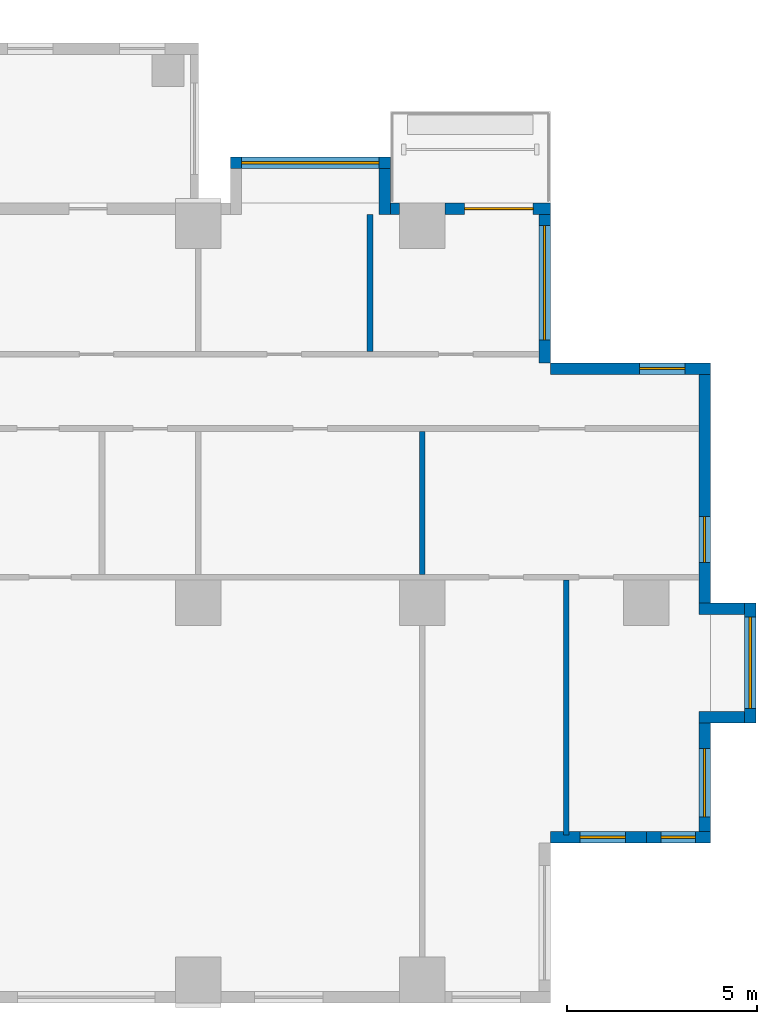
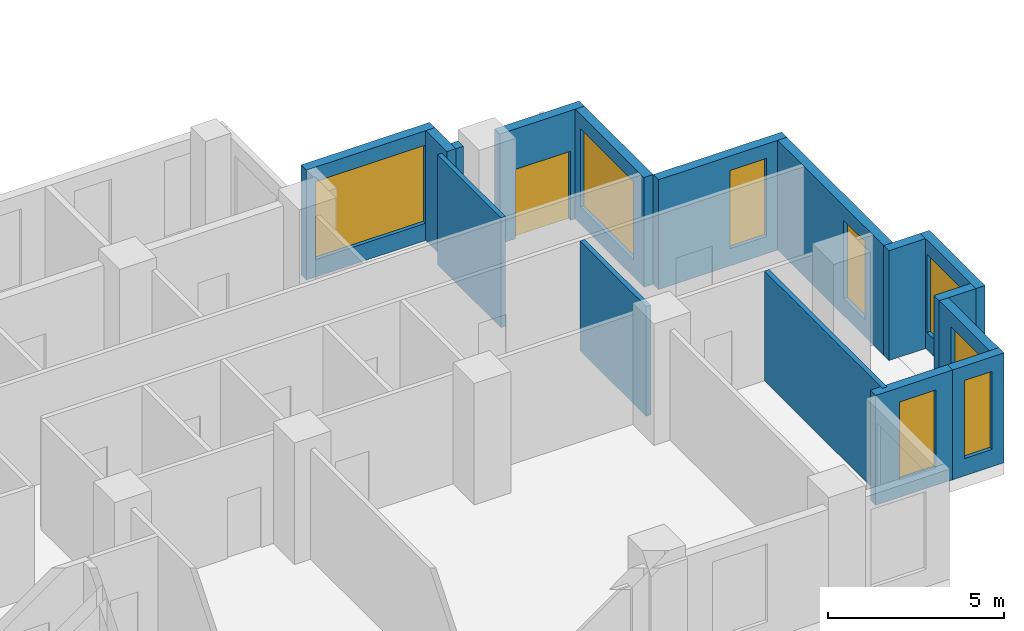
# One storey, part 9 of 15: 16 walls, 8 windows, 1 door, 9 openings.
"""IFC4 building model written with IfcOpenShell, lengths in metres."""

from ifc_helpers import new_model, si_unit, direction, frame, frame_2d, origin, place, context, subcontext, project, spatial, rectangle, extrude, source, transform, mapped, material, layer, layer_set, type_object, element, fill, save


model = new_model("IFC4")

# Units and contexts
model_context = context("Model", 3, precision=1e-05, world=origin(), true_north=direction((0.0, 1.0)))
body_context = subcontext(model_context, "Body", "Model", "MODEL_VIEW")
ifc_project = project(units=[si_unit("LENGTHUNIT", "METRE"), si_unit("AREAUNIT", "SQUARE_METRE"), si_unit("VOLUMEUNIT", "CUBIC_METRE"), si_unit("PLANEANGLEUNIT", "RADIAN"), si_unit("MASSUNIT", "GRAM", prefix="KILO")], contexts=[model_context])

# Site, building, storey
site_placement = place(None, origin())
site = spatial("IfcSite", under=ifc_project, at=site_placement, CompositionType="ELEMENT")
building_placement = place(site_placement, origin())
building = spatial("IfcBuilding", under=site, at=building_placement, Name="Aurelian Terraces", CompositionType="ELEMENT")
storey_placement = place(building_placement, frame((0.0, 0.0, 65.7)))
storey = spatial("IfcBuildingStorey", under=building, at=storey_placement, Name="L13", CompositionType="ELEMENT", Elevation=65.7)

# Wall, opening, window
ifc_material_1 = material(Name="Terracotta rainscreen cladding", Category="masonry")
ifc_layer_1 = layer(ifc_material_1, 0.3)
ifc_layer_set_1 = layer_set([ifc_layer_1], Name="EW-300")
wall_type_1 = type_object("IfcWallType", Name="EW-300", PredefinedType="STANDARD", material=ifc_layer_set_1)
shared_shape_1 = source(origin(), body_context, "Body", "SweptSolid", [
    extrude(rectangle(XDim=3.15, YDim=0.3, at=frame_2d((1.575, 0.0))), origin(), (0.0, 0.0, 1.0), 3.8),
])
wall_1_placement = place(storey_placement, frame((71.25, 4.2, 0.0), z_axis=(0.0, 0.0, 1.0), x_axis=(0.0, 1.0, 0.0)))
wall_1 = element("IfcWall", 1, at=wall_1_placement, inside=storey, type_object=wall_type_1, Name="External wall L13 F04.15", PredefinedType="STANDARD", context=body_context, shape_type="MappedRepresentation", body=[
    mapped(shared_shape_1, transform((0.0, 0.0, 0.0), scale=1.0)),
])
shared_shape_2 = source(origin(), body_context, "Body", "SweptSolid", [
    extrude(rectangle(XDim=1.8, YDim=2.7, at=frame_2d((0.9, 1.35))), frame((0.0, 0.16, 0.0), z_axis=(0.0, -1.0, 0.0), x_axis=(1.0, 0.0, 0.0)), (0.0, 0.0, 1.0), 0.32),
])
opening_1_placement = place(wall_1_placement, frame((0.675, 0.0, 0.6)))
opening_1 = element("IfcOpeningElement", 2, at=opening_1_placement, cuts=wall_1, Name="Opening W1827", PredefinedType="OPENING", context=body_context, shape_type="MappedRepresentation", body=[
    mapped(shared_shape_2, transform((0.0, 0.0, 0.0), scale=1.0)),
])
ifc_material_2 = material(Name="Clear glazing", Category="glass")
window_type_1 = type_object("IfcWindowType", Name="W-1800x2700", PartitioningType="SINGLE_PANEL", PredefinedType="WINDOW", material=ifc_material_2)
shared_shape_3 = source(origin(), body_context, "Body", "SweptSolid", [
    extrude(rectangle(XDim=1.8, YDim=2.7, at=frame_2d((0.9, 1.35))), frame((0.0, 0.03, 0.0), z_axis=(0.0, -1.0, 0.0), x_axis=(1.0, 0.0, 0.0)), (0.0, 0.0, 1.0), 0.06),
])
window_1_placement = place(opening_1_placement, origin())
window_1 = element("IfcWindow", 3, at=window_1_placement, inside=storey, type_object=window_type_1, Name="Window L13 L13-F04-15-0", OverallHeight=2.7, OverallWidth=1.8, PartitioningType="SINGLE_PANEL", PredefinedType="WINDOW", context=body_context, shape_type="MappedRepresentation", body=[
    mapped(shared_shape_3, transform((0.0, 0.0, 0.0), scale=1.0)),
])
fill(opening_1, window_1)

wall_2_placement = place(storey_placement, frame((72.45, 7.35, 0.0), z_axis=(0.0, 0.0, 1.0), x_axis=(0.0, 1.0, 0.0)))
wall_2 = element("IfcWall", 4, at=wall_2_placement, inside=storey, type_object=wall_type_1, Name="Bay wall L13 F04.16", PredefinedType="STANDARD", context=body_context, shape_type="MappedRepresentation", body=[
    mapped(shared_shape_1, transform((0.0, 0.0, 0.0), scale=1.0)),
])
shared_shape_4 = source(origin(), body_context, "Body", "SweptSolid", [
    extrude(rectangle(XDim=2.4, YDim=2.7, at=frame_2d((1.2, 1.35))), frame((0.0, 0.16, 0.0), z_axis=(0.0, -1.0, 0.0), x_axis=(1.0, 0.0, 0.0)), (0.0, 0.0, 1.0), 0.32),
])
opening_2_placement = place(wall_2_placement, frame((0.375, 0.0, 0.6)))
opening_2 = element("IfcOpeningElement", 5, at=opening_2_placement, cuts=wall_2, Name="Opening W2427", PredefinedType="OPENING", context=body_context, shape_type="MappedRepresentation", body=[
    mapped(shared_shape_4, transform((0.0, 0.0, 0.0), scale=1.0)),
])
window_type_2 = type_object("IfcWindowType", Name="W-2400x2700", PartitioningType="SINGLE_PANEL", PredefinedType="WINDOW", material=ifc_material_2)
shared_shape_5 = source(origin(), body_context, "Body", "SweptSolid", [
    extrude(rectangle(XDim=2.4, YDim=2.7, at=frame_2d((1.2, 1.35))), frame((0.0, 0.03, 0.0), z_axis=(0.0, -1.0, 0.0), x_axis=(1.0, 0.0, 0.0)), (0.0, 0.0, 1.0), 0.06),
])
window_2_placement = place(opening_2_placement, origin())
window_2 = element("IfcWindow", 6, at=window_2_placement, inside=storey, type_object=window_type_2, Name="Window L13 L13-F04-16-0", OverallHeight=2.7, OverallWidth=2.4, PartitioningType="SINGLE_PANEL", PredefinedType="WINDOW", context=body_context, shape_type="MappedRepresentation", body=[
    mapped(shared_shape_5, transform((0.0, 0.0, 0.0), scale=1.0)),
])
fill(opening_2, window_2)

shared_shape_6 = source(origin(), body_context, "Body", "SweptSolid", [
    extrude(rectangle(XDim=4.2, YDim=0.3, at=frame_2d((2.1, 0.0))), origin(), (0.0, 0.0, 1.0), 3.8),
])
wall_3_placement = place(storey_placement, frame((71.4, 16.65, 0.0), z_axis=(0.0, 0.0, 1.0), x_axis=(-1.0, 0.0, 0.0)))
wall_3 = element("IfcWall", 7, at=wall_3_placement, inside=storey, type_object=wall_type_1, Name="External wall L13 F05.18", PredefinedType="STANDARD", context=body_context, shape_type="MappedRepresentation", body=[
    mapped(shared_shape_6, transform((0.0, 0.0, 0.0), scale=1.0)),
])
shared_shape_7 = source(origin(), body_context, "Body", "SweptSolid", [
    extrude(rectangle(XDim=1.2, YDim=2.7, at=frame_2d((0.6, 1.35))), frame((0.0, 0.16, 0.0), z_axis=(0.0, -1.0, 0.0), x_axis=(1.0, 0.0, 0.0)), (0.0, 0.0, 1.0), 0.32),
])
opening_3_placement = place(wall_3_placement, frame((0.66, 0.0, 0.6)))
opening_3 = element("IfcOpeningElement", 8, at=opening_3_placement, cuts=wall_3, Name="Opening W1227", PredefinedType="OPENING", context=body_context, shape_type="MappedRepresentation", body=[
    mapped(shared_shape_7, transform((0.0, 0.0, 0.0), scale=1.0)),
])
window_type_3 = type_object("IfcWindowType", Name="W-1200x2700", PartitioningType="SINGLE_PANEL", PredefinedType="WINDOW", material=ifc_material_2)
shared_shape_8 = source(origin(), body_context, "Body", "SweptSolid", [
    extrude(rectangle(XDim=1.2, YDim=2.7, at=frame_2d((0.6, 1.35))), frame((0.0, 0.03, 0.0), z_axis=(0.0, -1.0, 0.0), x_axis=(1.0, 0.0, 0.0)), (0.0, 0.0, 1.0), 0.06),
])
window_3_placement = place(opening_3_placement, origin())
window_3 = element("IfcWindow", 9, at=window_3_placement, inside=storey, type_object=window_type_3, Name="Window L13 L13-F05-18-0", OverallHeight=2.7, OverallWidth=1.2, PartitioningType="SINGLE_PANEL", PredefinedType="WINDOW", context=body_context, shape_type="MappedRepresentation", body=[
    mapped(shared_shape_8, transform((0.0, 0.0, 0.0), scale=1.0)),
])
fill(opening_3, window_3)

wall_4_placement = place(storey_placement, frame((67.05, 16.8, 0.0), z_axis=(0.0, 0.0, 1.0), x_axis=(0.0, 1.0, 0.0)))
wall_4 = element("IfcWall", 10, at=wall_4_placement, inside=storey, type_object=wall_type_1, Name="External wall L13 F06.19", PredefinedType="STANDARD", context=body_context, shape_type="MappedRepresentation", body=[
    mapped(shared_shape_6, transform((0.0, 0.0, 0.0), scale=1.0)),
])
shared_shape_9 = source(origin(), body_context, "Body", "SweptSolid", [
    extrude(rectangle(XDim=3.0, YDim=2.7, at=frame_2d((1.5, 1.35))), frame((0.0, 0.16, 0.0), z_axis=(0.0, -1.0, 0.0), x_axis=(1.0, 0.0, 0.0)), (0.0, 0.0, 1.0), 0.32),
])
opening_4_placement = place(wall_4_placement, frame((0.6, 0.0, 0.6)))
opening_4 = element("IfcOpeningElement", 11, at=opening_4_placement, cuts=wall_4, Name="Opening W3027", PredefinedType="OPENING", context=body_context, shape_type="MappedRepresentation", body=[
    mapped(shared_shape_9, transform((0.0, 0.0, 0.0), scale=1.0)),
])
window_type_4 = type_object("IfcWindowType", Name="W-3000x2700", PartitioningType="SINGLE_PANEL", PredefinedType="WINDOW", material=ifc_material_2)
shared_shape_10 = source(origin(), body_context, "Body", "SweptSolid", [
    extrude(rectangle(XDim=3.0, YDim=2.7, at=frame_2d((1.5, 1.35))), frame((0.0, 0.03, 0.0), z_axis=(0.0, -1.0, 0.0), x_axis=(1.0, 0.0, 0.0)), (0.0, 0.0, 1.0), 0.06),
])
window_4_placement = place(opening_4_placement, origin())
window_4 = element("IfcWindow", 12, at=window_4_placement, inside=storey, type_object=window_type_4, Name="Window L13 L13-F06-19-0", OverallHeight=2.7, OverallWidth=3.0, PartitioningType="SINGLE_PANEL", PredefinedType="WINDOW", context=body_context, shape_type="MappedRepresentation", body=[
    mapped(shared_shape_10, transform((0.0, 0.0, 0.0), scale=1.0)),
])
fill(opening_4, window_4)

wall_5_placement = place(storey_placement, frame((63.0, 22.05, 0.0), z_axis=(0.0, 0.0, 1.0), x_axis=(-1.0, 0.0, 0.0)))
wall_5 = element("IfcWall", 13, at=wall_5_placement, inside=storey, type_object=wall_type_1, Name="Bay wall L13 F07.21", PredefinedType="STANDARD", context=body_context, shape_type="MappedRepresentation", body=[
    mapped(shared_shape_6, transform((0.0, 0.0, 0.0), scale=1.0)),
])
shared_shape_11 = source(origin(), body_context, "Body", "SweptSolid", [
    extrude(rectangle(XDim=3.6, YDim=2.7, at=frame_2d((1.8, 1.35))), frame((0.0, 0.16, 0.0), z_axis=(0.0, -1.0, 0.0), x_axis=(1.0, 0.0, 0.0)), (0.0, 0.0, 1.0), 0.32),
])
opening_5_placement = place(wall_5_placement, frame((0.3, 0.0, 0.6)))
opening_5 = element("IfcOpeningElement", 14, at=opening_5_placement, cuts=wall_5, Name="Opening W3627", PredefinedType="OPENING", context=body_context, shape_type="MappedRepresentation", body=[
    mapped(shared_shape_11, transform((0.0, 0.0, 0.0), scale=1.0)),
])
window_type_5 = type_object("IfcWindowType", Name="W-3600x2700", PartitioningType="SINGLE_PANEL", PredefinedType="WINDOW", material=ifc_material_2)
shared_shape_12 = source(origin(), body_context, "Body", "SweptSolid", [
    extrude(rectangle(XDim=3.6, YDim=2.7, at=frame_2d((1.8, 1.35))), frame((0.0, 0.03, 0.0), z_axis=(0.0, -1.0, 0.0), x_axis=(1.0, 0.0, 0.0)), (0.0, 0.0, 1.0), 0.06),
])
window_5_placement = place(opening_5_placement, origin())
window_5 = element("IfcWindow", 15, at=window_5_placement, inside=storey, type_object=window_type_5, Name="Window L13 L13-F07-21-0", OverallHeight=2.7, OverallWidth=3.6, PartitioningType="SINGLE_PANEL", PredefinedType="WINDOW", context=body_context, shape_type="MappedRepresentation", body=[
    mapped(shared_shape_12, transform((0.0, 0.0, 0.0), scale=1.0)),
])
fill(opening_5, window_5)

# Wall, opening, door
shared_shape_13 = source(origin(), body_context, "Body", "SweptSolid", [
    extrude(rectangle(XDim=2.76, YDim=0.3, at=frame_2d((1.38, 0.0))), origin(), (0.0, 0.0, 1.0), 3.8),
])
wall_6_placement = place(storey_placement, frame((67.2, 20.85, 0.0), z_axis=(0.0, 0.0, 1.0), x_axis=(-1.0, 0.0, 0.0)))
wall_6 = element("IfcWall", 16, at=wall_6_placement, inside=storey, type_object=wall_type_1, Name="External wall L13 F07.20", PredefinedType="STANDARD", context=body_context, shape_type="MappedRepresentation", body=[
    mapped(shared_shape_13, transform((0.0, 0.0, 0.0), scale=1.0)),
])
shared_shape_14 = source(origin(), body_context, "Body", "SweptSolid", [
    extrude(rectangle(XDim=1.8, YDim=2.4, at=frame_2d((0.9, 1.2))), frame((0.0, 0.16, 0.0), z_axis=(0.0, -1.0, 0.0), x_axis=(1.0, 0.0, 0.0)), (0.0, 0.0, 1.0), 0.32),
])
opening_6_placement = place(wall_6_placement, frame((0.45, 0.0, 0.0)))
opening_6 = element("IfcOpeningElement", 17, at=opening_6_placement, cuts=wall_6, Name="Opening 81302", PredefinedType="OPENING", context=body_context, shape_type="MappedRepresentation", body=[
    mapped(shared_shape_14, transform((0.0, 0.0, 0.0), scale=1.0)),
])
door_type = type_object("IfcDoorType", Name="BD-1800x2400", OperationType="SLIDING_TO_LEFT", PredefinedType="DOOR", material=ifc_material_2)
shared_shape_15 = source(origin(), body_context, "Body", "SweptSolid", [
    extrude(rectangle(XDim=1.8, YDim=2.4, at=frame_2d((0.9, 1.2))), frame((0.0, 0.025, 0.0), z_axis=(0.0, -1.0, 0.0), x_axis=(1.0, 0.0, 0.0)), (0.0, 0.0, 1.0), 0.05),
])
door_placement = place(opening_6_placement, origin())
door = element("IfcDoor", 18, at=door_placement, inside=storey, type_object=door_type, Name="Balcony door L13 F07.20", OperationType="SLIDING_TO_LEFT", OverallHeight=2.4, OverallWidth=1.8, PredefinedType="DOOR", context=body_context, shape_type="MappedRepresentation", body=[
    mapped(shared_shape_15, transform((0.0, 0.0, 0.0), scale=1.0)),
])
fill(opening_6, door)

# Walls
shared_shape_16 = source(origin(), body_context, "Body", "SweptSolid", [
    extrude(rectangle(XDim=1.2, YDim=0.3, at=frame_2d((0.6, 0.0))), origin(), (0.0, 0.0, 1.0), 3.8),
])
for number, where, z_axis, x_axis, name in (
    (19, (71.1, 7.5, 0.0), (0.0, 0.0, 1.0), (1.0, 0.0, 0.0), "Bay return L13 F04.16.1"),
    (20, (71.1, 10.35, 0.0), (0.0, 0.0, 1.0), (1.0, 0.0, 0.0), "Bay return L13 F04.16.2"),
    (21, (62.85, 20.7, 0.0), (0.0, 0.0, 1.0), (0.0, 1.0, 0.0), "Bay return L13 F07.21.1"),
):
    element("IfcWall", number, at=place(storey_placement, frame(where, z_axis=z_axis, x_axis=x_axis)), inside=storey, type_object=wall_type_1, Name=name, PredefinedType="STANDARD", context=body_context, shape_type="MappedRepresentation", body=[
        mapped(shared_shape_16, transform((0.0, 0.0, 0.0), scale=1.0)),
    ])
shared_shape_17 = source(origin(), body_context, "Body", "SweptSolid", [
    extrude(rectangle(XDim=0.24, YDim=0.3, at=frame_2d((0.12, 0.0))), origin(), (0.0, 0.0, 1.0), 3.8),
])
wall_7_placement = place(storey_placement, frame((63.24, 20.85, 0.0), z_axis=(0.0, 0.0, 1.0), x_axis=(-1.0, 0.0, 0.0)))
element("IfcWall", 22, at=wall_7_placement, inside=storey, type_object=wall_type_1, Name="External wall L13 F07.20", PredefinedType="STANDARD", context=body_context, shape_type="MappedRepresentation", body=[
    mapped(shared_shape_17, transform((0.0, 0.0, 0.0), scale=1.0)),
])

# Wall, opening, window
shared_shape_18 = source(origin(), body_context, "Body", "SweptSolid", [
    extrude(rectangle(XDim=2.52, YDim=0.3, at=frame_2d((1.26, 0.0))), origin(), (0.0, 0.0, 1.0), 3.8),
])
wall_8_placement = place(storey_placement, frame((67.2, 4.35, 0.0), z_axis=(0.0, 0.0, 1.0), x_axis=(1.0, 0.0, 0.0)))
wall_8 = element("IfcWall", 23, at=wall_8_placement, inside=storey, type_object=wall_type_1, Name="External wall L13 F03.13", PredefinedType="STANDARD", context=body_context, shape_type="MappedRepresentation", body=[
    mapped(shared_shape_18, transform((0.0, 0.0, 0.0), scale=1.0)),
])
opening_7_placement = place(wall_8_placement, frame((0.7775, 0.0, 0.6)))
opening_7 = element("IfcOpeningElement", 24, at=opening_7_placement, cuts=wall_8, Name="Opening W1227", PredefinedType="OPENING", context=body_context, shape_type="MappedRepresentation", body=[
    mapped(shared_shape_7, transform((0.0, 0.0, 0.0), scale=1.0)),
])
window_6_placement = place(opening_7_placement, origin())
window_6 = element("IfcWindow", 25, at=window_6_placement, inside=storey, type_object=window_type_3, Name="Window L13 L13-F03-13-P0", OverallHeight=2.7, OverallWidth=1.2, PartitioningType="SINGLE_PANEL", PredefinedType="WINDOW", context=body_context, shape_type="MappedRepresentation", body=[
    mapped(shared_shape_8, transform((0.0, 0.0, 0.0), scale=1.0)),
])
fill(opening_7, window_6)

shared_shape_19 = source(origin(), body_context, "Body", "SweptSolid", [
    extrude(rectangle(XDim=1.68, YDim=0.3, at=frame_2d((0.84, 0.0))), origin(), (0.0, 0.0, 1.0), 3.8),
])
wall_9_placement = place(storey_placement, frame((69.72, 4.35, 0.0), z_axis=(0.0, 0.0, 1.0), x_axis=(1.0, 0.0, 0.0)))
wall_9 = element("IfcWall", 26, at=wall_9_placement, inside=storey, type_object=wall_type_1, Name="External wall L13 F03.14", PredefinedType="STANDARD", context=body_context, shape_type="MappedRepresentation", body=[
    mapped(shared_shape_19, transform((0.0, 0.0, 0.0), scale=1.0)),
])
shared_shape_20 = source(origin(), body_context, "Body", "SweptSolid", [
    extrude(rectangle(XDim=0.9, YDim=2.7, at=frame_2d((0.45, 1.35))), frame((0.0, 0.16, 0.0), z_axis=(0.0, -1.0, 0.0), x_axis=(1.0, 0.0, 0.0)), (0.0, 0.0, 1.0), 0.32),
])
opening_8_placement = place(wall_9_placement, frame((0.39, 0.0, 0.6)))
opening_8 = element("IfcOpeningElement", 27, at=opening_8_placement, cuts=wall_9, Name="Opening W0927", PredefinedType="OPENING", context=body_context, shape_type="MappedRepresentation", body=[
    mapped(shared_shape_20, transform((0.0, 0.0, 0.0), scale=1.0)),
])
window_type_6 = type_object("IfcWindowType", Name="W-900x2700", PartitioningType="SINGLE_PANEL", PredefinedType="WINDOW", material=ifc_material_2)
shared_shape_21 = source(origin(), body_context, "Body", "SweptSolid", [
    extrude(rectangle(XDim=0.9, YDim=2.7, at=frame_2d((0.45, 1.35))), frame((0.0, 0.03, 0.0), z_axis=(0.0, -1.0, 0.0), x_axis=(1.0, 0.0, 0.0)), (0.0, 0.0, 1.0), 0.06),
])
window_7_placement = place(opening_8_placement, origin())
window_7 = element("IfcWindow", 28, at=window_7_placement, inside=storey, type_object=window_type_6, Name="Window L13 L13-F03-14-P0", OverallHeight=2.7, OverallWidth=0.9, PartitioningType="SINGLE_PANEL", PredefinedType="WINDOW", context=body_context, shape_type="MappedRepresentation", body=[
    mapped(shared_shape_21, transform((0.0, 0.0, 0.0), scale=1.0)),
])
fill(opening_8, window_7)

shared_shape_22 = source(origin(), body_context, "Body", "SweptSolid", [
    extrude(rectangle(XDim=6.3, YDim=0.3, at=frame_2d((3.15, 0.0))), origin(), (0.0, 0.0, 1.0), 3.8),
])
wall_10_placement = place(storey_placement, frame((71.25, 10.5, 0.0), z_axis=(0.0, 0.0, 1.0), x_axis=(0.0, 1.0, 0.0)))
wall_10 = element("IfcWall", 29, at=wall_10_placement, inside=storey, type_object=wall_type_1, Name="External wall L13 F04.17", PredefinedType="STANDARD", context=body_context, shape_type="MappedRepresentation", body=[
    mapped(shared_shape_22, transform((0.0, 0.0, 0.0), scale=1.0)),
])
opening_9_placement = place(wall_10_placement, frame((1.0625, 0.0, 0.6)))
opening_9 = element("IfcOpeningElement", 30, at=opening_9_placement, cuts=wall_10, Name="Opening W1227", PredefinedType="OPENING", context=body_context, shape_type="MappedRepresentation", body=[
    mapped(shared_shape_7, transform((0.0, 0.0, 0.0), scale=1.0)),
])
window_8_placement = place(opening_9_placement, origin())
window_8 = element("IfcWindow", 31, at=window_8_placement, inside=storey, type_object=window_type_3, Name="Window L13 L13-F04-17-0", OverallHeight=2.7, OverallWidth=1.2, PartitioningType="SINGLE_PANEL", PredefinedType="WINDOW", context=body_context, shape_type="MappedRepresentation", body=[
    mapped(shared_shape_8, transform((0.0, 0.0, 0.0), scale=1.0)),
])
fill(opening_9, window_8)

# Walls
ifc_material_3 = material(Name="Gypsum board on steel studs", Category="steel")
ifc_layer_2 = layer(ifc_material_3, 0.15)
ifc_layer_set_2 = layer_set([ifc_layer_2], Name="Partition 150")
wall_type_2 = type_object("IfcWallType", Name="Partition 150", PredefinedType="PARTITIONING", material=ifc_layer_set_2)
shared_shape_23 = source(origin(), body_context, "Body", "SweptSolid", [
    extrude(rectangle(XDim=3.75, YDim=0.15, at=frame_2d((1.875, 0.0))), origin(), (0.0, 0.0, 1.0), 3.8),
])
wall_11_placement = place(storey_placement, frame((63.84, 11.25, 0.0), z_axis=(0.0, 0.0, 1.0), x_axis=(0.0, 1.0, 0.0)))
element("IfcWall", 32, at=wall_11_placement, inside=storey, type_object=wall_type_2, Name="Partition", PredefinedType="PARTITIONING", context=body_context, shape_type="MappedRepresentation", body=[
    mapped(shared_shape_23, transform((0.0, 0.0, 0.0), scale=1.0)),
])
shared_shape_24 = source(origin(), body_context, "Body", "SweptSolid", [
    extrude(rectangle(XDim=3.6, YDim=0.15, at=frame_2d((1.8, 0.0))), origin(), (0.0, 0.0, 1.0), 3.8),
])
wall_12_placement = place(storey_placement, frame((62.4675, 20.7, 0.0), z_axis=(0.0, 0.0, 1.0), x_axis=(0.0, -1.0, 0.0)))
element("IfcWall", 33, at=wall_12_placement, inside=storey, type_object=wall_type_2, Name="Partition", PredefinedType="PARTITIONING", context=body_context, shape_type="MappedRepresentation", body=[
    mapped(shared_shape_24, transform((0.0, 0.0, 0.0), scale=1.0)),
])
shared_shape_25 = source(origin(), body_context, "Body", "SweptSolid", [
    extrude(rectangle(XDim=6.695, YDim=0.15, at=frame_2d((3.3475, 0.0))), origin(), (0.0, 0.0, 1.0), 3.8),
])
wall_13_placement = place(storey_placement, frame((67.62, 4.405, 0.0), z_axis=(0.0, 0.0, 1.0), x_axis=(0.0, 1.0, 0.0)))
element("IfcWall", 34, at=wall_13_placement, inside=storey, type_object=wall_type_2, Name="Partition", PredefinedType="PARTITIONING", context=body_context, shape_type="MappedRepresentation", body=[
    mapped(shared_shape_25, transform((0.0, 0.0, 0.0), scale=1.0)),
])

save(model, "model.ifc")
